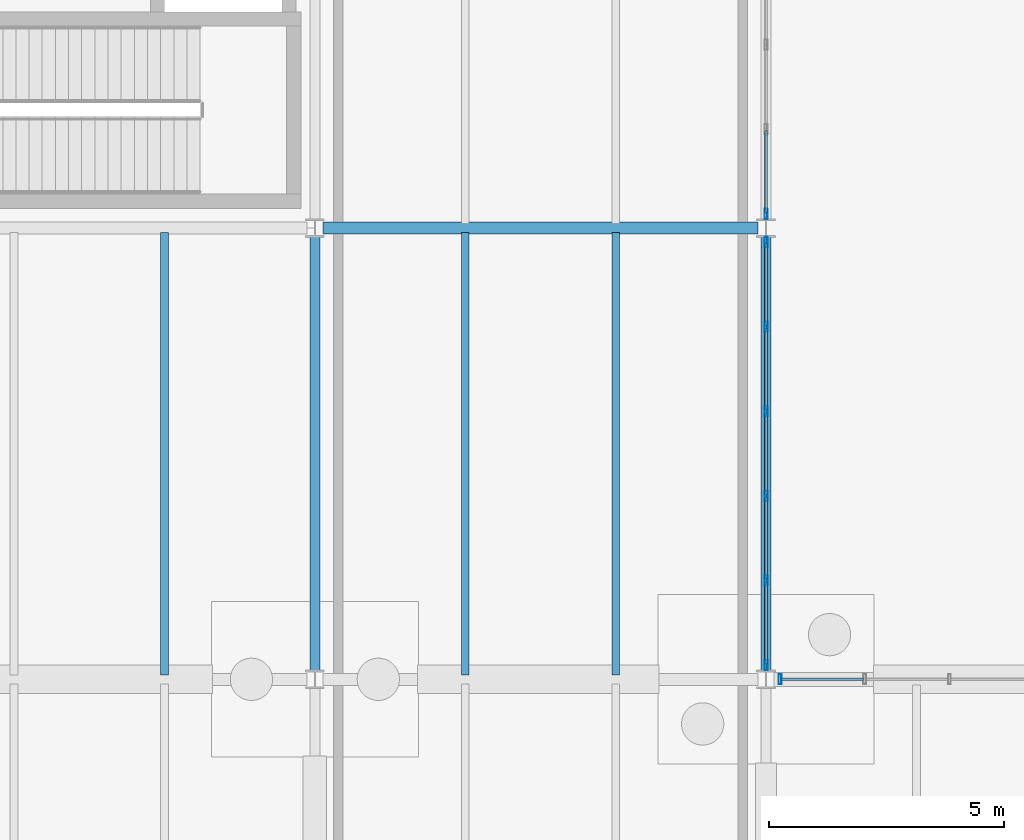
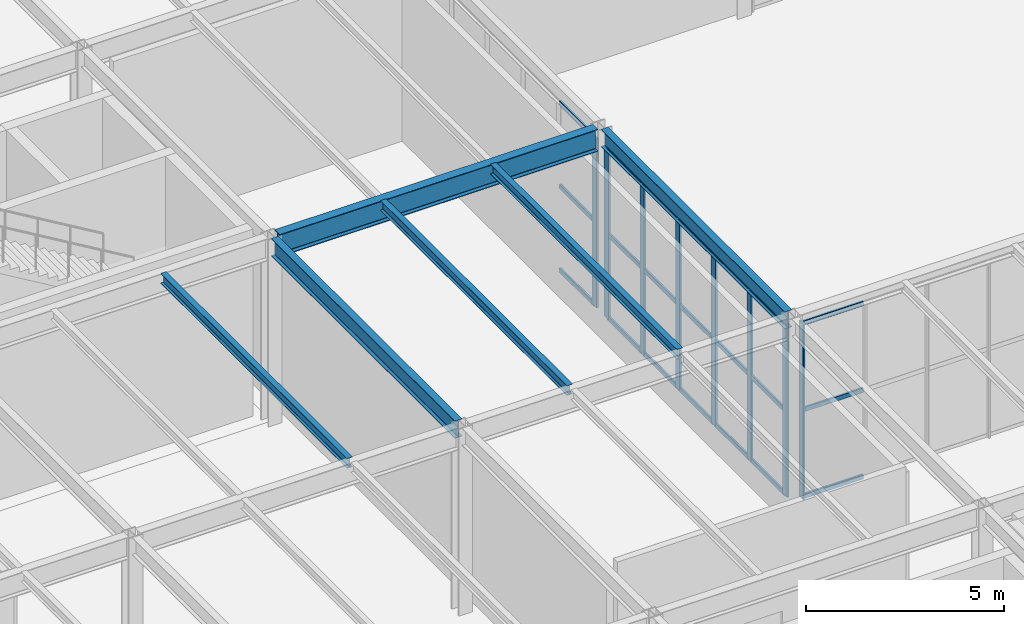
# One storey, part 39 of 142: 29 members, 6 beams, 3 elements without a shape of their own.
"""IFC4 building model written with IfcOpenShell, lengths in metres."""

from ifc_helpers import new_model, si_unit, direction, frame, origin, origin_2d, place, context, subcontext, project, spatial, hollow_rectangle, i_section, extrude, material, material_profile, profile_set, type_object, element, aggregate, save


model = new_model("IFC4")

# Units and contexts
model_context = context("Model", 3, precision=1e-05, world=origin(), true_north=direction((0.0, 1.0)))
body_context = subcontext(model_context, "Body", "Model", "MODEL_VIEW")
ifc_project = project(units=[si_unit("LENGTHUNIT", "METRE"), si_unit("AREAUNIT", "SQUARE_METRE"), si_unit("VOLUMEUNIT", "CUBIC_METRE"), si_unit("PLANEANGLEUNIT", "RADIAN"), si_unit("MASSUNIT", "GRAM", prefix="KILO")], contexts=[model_context])

# Site, building, storey
site_placement = place(None, origin())
site = spatial("IfcSite", under=ifc_project, at=site_placement, CompositionType="ELEMENT")
building_placement = place(site_placement, origin())
building = spatial("IfcBuilding", under=site, at=building_placement, Name="Coralgate Yard Interchange", CompositionType="ELEMENT")
storey_placement = place(building_placement, origin())
storey = spatial("IfcBuildingStorey", under=building, at=storey_placement, Name="L00", CompositionType="ELEMENT", Elevation=0.0)

# Beams
ifc_material_1 = material(Name="Structural steel S355J2", Category="steel")
ifc_material_profile_1 = material_profile(ifc_material_1, i_section(OverallWidth=0.209228515625, OverallDepth=0.533203125, WebThickness=0.010009765625, FlangeThickness=0.015625, FilletRadius=0.0126953125, at=origin_2d()), Name="UB 533x210x92")
ifc_profile_set_1 = profile_set([ifc_material_profile_1], Name="Structural steel S355J2")
beam_type_1 = type_object("IfcBeamType", Name="BM-SB-1", PredefinedType="BEAM", material=ifc_profile_set_1)
for number, where, z_axis, x_axis, name in (
    (1, (19.199951171875, 19.36669921875, 5.4833984375), (0.0, 1.0, 0.0), (-1.0, 0.0, 0.0), "L00 primary grid girder X2 Y2-3"),
    (2, (28.800048828125, 19.36669921875, 5.4833984375), (0.0, 1.0, 0.0), (-1.0, 0.0, 0.0), "L00 primary grid girder X3 Y2-3"),
):
    element("IfcBeam", number, at=place(storey_placement, frame(where, z_axis=z_axis, x_axis=x_axis)), inside=storey, type_object=beam_type_1, Name=name, PredefinedType="BEAM", context=body_context, shape_type="SweptSolid", body=[
        extrude(i_section(OverallWidth=0.209228515625, OverallDepth=0.533203125, WebThickness=0.010009765625, FlangeThickness=0.015625, FilletRadius=0.0126953125, at=origin_2d()), origin(), (0.0, 0.0, 1.0), 9.2666015625),
    ])
ifc_material_profile_2 = material_profile(ifc_material_1, i_section(OverallWidth=0.253662109375, OverallDepth=0.68359375, WebThickness=0.012451171875, FlangeThickness=0.01904296875, FilletRadius=0.01513671875, at=origin_2d()), Name="UB 686x254x140")
ifc_profile_set_2 = profile_set([ifc_material_profile_2], Name="Structural steel S355J2")
beam_type_2 = type_object("IfcBeamType", Name="BM-SG-4", PredefinedType="BEAM", material=ifc_profile_set_2)
beam_placement = place(storey_placement, frame((19.369384765625, 28.800048828125, 5.408203125), z_axis=(1.0, 0.0, 0.0), x_axis=(0.0, 1.0, 0.0)))
element("IfcBeam", 3, at=beam_placement, inside=storey, type_object=beam_type_2, Name="L00 primary grid beam Y3 X2-3", PredefinedType="BEAM", context=body_context, shape_type="SweptSolid", body=[
    extrude(i_section(OverallWidth=0.253662109375, OverallDepth=0.68359375, WebThickness=0.012451171875, FlangeThickness=0.01904296875, FilletRadius=0.01513671875, at=origin_2d()), origin(), (0.0, 0.0, 1.0), 9.26123046875),
])
ifc_material_profile_3 = material_profile(ifc_material_1, i_section(OverallWidth=0.1650390625, OverallDepth=0.303466796875, WebThickness=0.006103515625, FlangeThickness=0.01025390625, FilletRadius=0.0087890625, at=origin_2d()), Name="UB 305x165x40")
ifc_profile_set_3 = profile_set([ifc_material_profile_3], Name="Structural steel S355J2")
beam_type_3 = type_object("IfcBeamType", Name="BM-SJ-1", PredefinedType="JOIST", material=ifc_profile_set_3)
for number, where, z_axis, x_axis, name in (
    (4, (16.0, 19.296875, 5.598388671875), (0.0, 1.0, 0.0), (-1.0, 0.0, 0.0), "L00 composite floor joist 1-2-2"),
    (5, (22.39990234375, 19.296875, 5.598388671875), (0.0, 1.0, 0.0), (-1.0, 0.0, 0.0), "L00 composite floor joist 2-2-1"),
    (6, (25.60009765625, 19.296875, 5.598388671875), (0.0, 1.0, 0.0), (-1.0, 0.0, 0.0), "L00 composite floor joist 2-2-2"),
):
    element("IfcBeam", number, at=place(storey_placement, frame(where, z_axis=z_axis, x_axis=x_axis)), inside=storey, type_object=beam_type_3, Name=name, PredefinedType="JOIST", context=body_context, shape_type="SweptSolid", body=[
        extrude(i_section(OverallWidth=0.1650390625, OverallDepth=0.303466796875, WebThickness=0.006103515625, FlangeThickness=0.01025390625, FilletRadius=0.0087890625, at=origin_2d()), origin(), (0.0, 0.0, 1.0), 9.40625),
    ])

# Curtain wall, members
ifc_material_2 = material(Name="Anodised coastal aluminium and solar-control low-E glass", Category="aluminium")
curtain_wall_type_1 = type_object("IfcCurtainWallType", Name="CW-CW-L00-B", PredefinedType="NOTDEFINED", material=ifc_material_2)
curtain_wall_1_placement = place(storey_placement, origin())
curtain_wall_1 = element("IfcCurtainWall", 7, at=curtain_wall_1_placement, inside=storey, type_object=curtain_wall_type_1, Name="L00 unitised curtain wall CW-L00-E-02-02", PredefinedType="NOTDEFINED")
ifc_material_3 = material(Name="Anodised coastal aluminium 6063-T6", Category="aluminium")
ifc_material_profile_4 = material_profile(ifc_material_3, hollow_rectangle(XDim=0.06005859375, YDim=0.219970703125, WallThickness=0.00390625, InnerFilletRadius=0.00390625, OuterFilletRadius=0.008056640625, at=origin_2d()), Name="ALU 60x220x4")
ifc_profile_set_4 = profile_set([ifc_material_profile_4], Name="Anodised coastal aluminium 6063-T6")
member_type_1 = type_object("IfcMemberType", Name="MB-MUL-220", PredefinedType="MULLION", material=ifc_profile_set_4)
member_1_placement = place(storey_placement, frame((28.800048828125, 28.5, 0.0), z_axis=(0.0, 0.0, 1.0), x_axis=(1.0, 0.0, 0.0)))
member_1 = element("IfcMember", 8, at=member_1_placement, type_object=member_type_1, Name="CW-L00-E-02-02 vertical mullion 1", PredefinedType="MULLION", context=body_context, shape_type="SweptSolid", body=[
    extrude(hollow_rectangle(XDim=0.06005859375, YDim=0.219970703125, WallThickness=0.00390625, InnerFilletRadius=0.00390625, OuterFilletRadius=0.008056640625, at=origin_2d()), origin(), (0.0, 0.0, 1.0), 5.216796875),
])
member_2_placement = place(storey_placement, frame((28.800048828125, 26.699951171875, 0.0), z_axis=(0.0, 0.0, 1.0), x_axis=(1.0, 0.0, 0.0)))
member_2 = element("IfcMember", 9, at=member_2_placement, type_object=member_type_1, Name="CW-L00-E-02-02 vertical mullion 2", PredefinedType="MULLION", context=body_context, shape_type="SweptSolid", body=[
    extrude(hollow_rectangle(XDim=0.06005859375, YDim=0.219970703125, WallThickness=0.00390625, InnerFilletRadius=0.00390625, OuterFilletRadius=0.008056640625, at=origin_2d()), origin(), (0.0, 0.0, 1.0), 5.216796875),
])
member_3_placement = place(storey_placement, frame((28.800048828125, 24.89990234375, 0.0), z_axis=(0.0, 0.0, 1.0), x_axis=(1.0, 0.0, 0.0)))
member_3 = element("IfcMember", 10, at=member_3_placement, type_object=member_type_1, Name="CW-L00-E-02-02 vertical mullion 3", PredefinedType="MULLION", context=body_context, shape_type="SweptSolid", body=[
    extrude(hollow_rectangle(XDim=0.06005859375, YDim=0.219970703125, WallThickness=0.00390625, InnerFilletRadius=0.00390625, OuterFilletRadius=0.008056640625, at=origin_2d()), origin(), (0.0, 0.0, 1.0), 5.216796875),
])
member_4_placement = place(storey_placement, frame((28.800048828125, 23.10009765625, 0.0), z_axis=(0.0, 0.0, 1.0), x_axis=(1.0, 0.0, 0.0)))
member_4 = element("IfcMember", 11, at=member_4_placement, type_object=member_type_1, Name="CW-L00-E-02-02 vertical mullion 4", PredefinedType="MULLION", context=body_context, shape_type="SweptSolid", body=[
    extrude(hollow_rectangle(XDim=0.06005859375, YDim=0.219970703125, WallThickness=0.00390625, InnerFilletRadius=0.00390625, OuterFilletRadius=0.008056640625, at=origin_2d()), origin(), (0.0, 0.0, 1.0), 5.216796875),
])
member_5_placement = place(storey_placement, frame((28.800048828125, 21.300048828125, 0.0), z_axis=(0.0, 0.0, 1.0), x_axis=(1.0, 0.0, 0.0)))
member_5 = element("IfcMember", 12, at=member_5_placement, type_object=member_type_1, Name="CW-L00-E-02-02 vertical mullion 5", PredefinedType="MULLION", context=body_context, shape_type="SweptSolid", body=[
    extrude(hollow_rectangle(XDim=0.06005859375, YDim=0.219970703125, WallThickness=0.00390625, InnerFilletRadius=0.00390625, OuterFilletRadius=0.008056640625, at=origin_2d()), origin(), (0.0, 0.0, 1.0), 5.216796875),
])
member_6_placement = place(storey_placement, frame((28.800048828125, 19.5, 0.0), z_axis=(0.0, 0.0, 1.0), x_axis=(1.0, 0.0, 0.0)))
member_6 = element("IfcMember", 13, at=member_6_placement, type_object=member_type_1, Name="CW-L00-E-02-02 vertical mullion 6", PredefinedType="MULLION", context=body_context, shape_type="SweptSolid", body=[
    extrude(hollow_rectangle(XDim=0.06005859375, YDim=0.219970703125, WallThickness=0.00390625, InnerFilletRadius=0.00390625, OuterFilletRadius=0.008056640625, at=origin_2d()), origin(), (0.0, 0.0, 1.0), 5.216796875),
])

# Curtain wall, member
curtain_wall_type_2 = type_object("IfcCurtainWallType", Name="CW-CW-L00-A", PredefinedType="NOTDEFINED", material=ifc_material_2)
curtain_wall_2_placement = place(storey_placement, origin())
curtain_wall_2 = element("IfcCurtainWall", 14, at=curtain_wall_2_placement, inside=storey, type_object=curtain_wall_type_2, Name="L00 unitised curtain wall CW-L00-E-02-03", PredefinedType="NOTDEFINED")
member_7_placement = place(storey_placement, frame((28.800048828125, 29.10009765625, 0.0), z_axis=(0.0, 0.0, 1.0), x_axis=(1.0, 0.0, 0.0)))
member_7 = element("IfcMember", 15, at=member_7_placement, type_object=member_type_1, Name="CW-L00-E-02-03 vertical mullion 6", PredefinedType="MULLION", context=body_context, shape_type="SweptSolid", body=[
    extrude(hollow_rectangle(XDim=0.06005859375, YDim=0.219970703125, WallThickness=0.00390625, InnerFilletRadius=0.00390625, OuterFilletRadius=0.008056640625, at=origin_2d()), origin(), (0.0, 0.0, 1.0), 5.216796875),
])

curtain_wall_3_placement = place(storey_placement, origin())
curtain_wall_3 = element("IfcCurtainWall", 16, at=curtain_wall_3_placement, inside=storey, type_object=curtain_wall_type_1, Name="L00 unitised curtain wall CW-L00-N-03-01", PredefinedType="NOTDEFINED")
member_8_placement = place(storey_placement, frame((29.10009765625, 19.199951171875, 0.0), z_axis=(0.0, 0.0, 1.0), x_axis=(1.0, 0.0, 0.0)))
member_8 = element("IfcMember", 17, at=member_8_placement, type_object=member_type_1, Name="CW-L00-N-03-01 vertical mullion 1", PredefinedType="MULLION", context=body_context, shape_type="SweptSolid", body=[
    extrude(hollow_rectangle(XDim=0.06005859375, YDim=0.219970703125, WallThickness=0.00390625, InnerFilletRadius=0.00390625, OuterFilletRadius=0.008056640625, at=origin_2d()), origin(), (0.0, 0.0, 1.0), 5.39990234375),
])

# Member
ifc_material_profile_5 = material_profile(ifc_material_3, hollow_rectangle(XDim=0.06005859375, YDim=0.139892578125, WallThickness=0.00341796875, InnerFilletRadius=0.00341796875, OuterFilletRadius=0.007080078125, at=origin_2d()), Name="ALU 60x140x3.5")
ifc_profile_set_5 = profile_set([ifc_material_profile_5], Name="Anodised coastal aluminium 6063-T6")
member_type_2 = type_object("IfcMemberType", Name="MB-TRN-140", PredefinedType="USERDEFINED", material=ifc_profile_set_5)
member_9_placement = place(storey_placement, frame((28.800048828125, 28.469970703125, 0.034912109375), z_axis=(0.0, -1.0, 0.0), x_axis=(1.0, 0.0, 0.0)))
member_9 = element("IfcMember", 18, at=member_9_placement, type_object=member_type_2, Name="CW-L00-E-02-02 horizontal transom 1-1", ObjectType="TRANSOM", PredefinedType="USERDEFINED", context=body_context, shape_type="SweptSolid", body=[
    extrude(hollow_rectangle(XDim=0.06005859375, YDim=0.139892578125, WallThickness=0.00341796875, InnerFilletRadius=0.00341796875, OuterFilletRadius=0.007080078125, at=origin_2d()), origin(), (0.0, 0.0, 1.0), 1.739990234375),
])

member_10_placement = place(storey_placement, frame((28.800048828125, 28.469970703125, 2.6083984375), z_axis=(0.0, -1.0, 0.0), x_axis=(1.0, 0.0, 0.0)))
member_10 = element("IfcMember", 19, at=member_10_placement, type_object=member_type_2, Name="CW-L00-E-02-02 horizontal transom 1-2", ObjectType="TRANSOM", PredefinedType="USERDEFINED", context=body_context, shape_type="SweptSolid", body=[
    extrude(hollow_rectangle(XDim=0.06005859375, YDim=0.139892578125, WallThickness=0.00341796875, InnerFilletRadius=0.00341796875, OuterFilletRadius=0.007080078125, at=origin_2d()), origin(), (0.0, 0.0, 1.0), 1.739990234375),
])

member_11_placement = place(storey_placement, frame((28.800048828125, 28.469970703125, 5.181884765625), z_axis=(0.0, -1.0, 0.0), x_axis=(1.0, 0.0, 0.0)))
member_11 = element("IfcMember", 20, at=member_11_placement, type_object=member_type_2, Name="CW-L00-E-02-02 horizontal transom 1-3", ObjectType="TRANSOM", PredefinedType="USERDEFINED", context=body_context, shape_type="SweptSolid", body=[
    extrude(hollow_rectangle(XDim=0.06005859375, YDim=0.139892578125, WallThickness=0.00341796875, InnerFilletRadius=0.00341796875, OuterFilletRadius=0.007080078125, at=origin_2d()), origin(), (0.0, 0.0, 1.0), 1.739990234375),
])

member_12_placement = place(storey_placement, frame((28.800048828125, 26.669921875, 0.034912109375), z_axis=(0.0, -1.0, 0.0), x_axis=(1.0, 0.0, 0.0)))
member_12 = element("IfcMember", 21, at=member_12_placement, type_object=member_type_2, Name="CW-L00-E-02-02 horizontal transom 2-1", ObjectType="TRANSOM", PredefinedType="USERDEFINED", context=body_context, shape_type="SweptSolid", body=[
    extrude(hollow_rectangle(XDim=0.06005859375, YDim=0.139892578125, WallThickness=0.00341796875, InnerFilletRadius=0.00341796875, OuterFilletRadius=0.007080078125, at=origin_2d()), origin(), (0.0, 0.0, 1.0), 1.739990234375),
])

member_13_placement = place(storey_placement, frame((28.800048828125, 26.669921875, 2.6083984375), z_axis=(0.0, -1.0, 0.0), x_axis=(1.0, 0.0, 0.0)))
member_13 = element("IfcMember", 22, at=member_13_placement, type_object=member_type_2, Name="CW-L00-E-02-02 horizontal transom 2-2", ObjectType="TRANSOM", PredefinedType="USERDEFINED", context=body_context, shape_type="SweptSolid", body=[
    extrude(hollow_rectangle(XDim=0.06005859375, YDim=0.139892578125, WallThickness=0.00341796875, InnerFilletRadius=0.00341796875, OuterFilletRadius=0.007080078125, at=origin_2d()), origin(), (0.0, 0.0, 1.0), 1.739990234375),
])

member_14_placement = place(storey_placement, frame((28.800048828125, 26.669921875, 5.181884765625), z_axis=(0.0, -1.0, 0.0), x_axis=(1.0, 0.0, 0.0)))
member_14 = element("IfcMember", 23, at=member_14_placement, type_object=member_type_2, Name="CW-L00-E-02-02 horizontal transom 2-3", ObjectType="TRANSOM", PredefinedType="USERDEFINED", context=body_context, shape_type="SweptSolid", body=[
    extrude(hollow_rectangle(XDim=0.06005859375, YDim=0.139892578125, WallThickness=0.00341796875, InnerFilletRadius=0.00341796875, OuterFilletRadius=0.007080078125, at=origin_2d()), origin(), (0.0, 0.0, 1.0), 1.739990234375),
])

member_15_placement = place(storey_placement, frame((28.800048828125, 24.8701171875, 0.034912109375), z_axis=(0.0, -1.0, 0.0), x_axis=(1.0, 0.0, 0.0)))
member_15 = element("IfcMember", 24, at=member_15_placement, type_object=member_type_2, Name="CW-L00-E-02-02 horizontal transom 3-1", ObjectType="TRANSOM", PredefinedType="USERDEFINED", context=body_context, shape_type="SweptSolid", body=[
    extrude(hollow_rectangle(XDim=0.06005859375, YDim=0.139892578125, WallThickness=0.00341796875, InnerFilletRadius=0.00341796875, OuterFilletRadius=0.007080078125, at=origin_2d()), origin(), (0.0, 0.0, 1.0), 1.740234375),
])

member_16_placement = place(storey_placement, frame((28.800048828125, 24.8701171875, 2.6083984375), z_axis=(0.0, -1.0, 0.0), x_axis=(1.0, 0.0, 0.0)))
member_16 = element("IfcMember", 25, at=member_16_placement, type_object=member_type_2, Name="CW-L00-E-02-02 horizontal transom 3-2", ObjectType="TRANSOM", PredefinedType="USERDEFINED", context=body_context, shape_type="SweptSolid", body=[
    extrude(hollow_rectangle(XDim=0.06005859375, YDim=0.139892578125, WallThickness=0.00341796875, InnerFilletRadius=0.00341796875, OuterFilletRadius=0.007080078125, at=origin_2d()), origin(), (0.0, 0.0, 1.0), 1.740234375),
])

member_17_placement = place(storey_placement, frame((28.800048828125, 24.8701171875, 5.181884765625), z_axis=(0.0, -1.0, 0.0), x_axis=(1.0, 0.0, 0.0)))
member_17 = element("IfcMember", 26, at=member_17_placement, type_object=member_type_2, Name="CW-L00-E-02-02 horizontal transom 3-3", ObjectType="TRANSOM", PredefinedType="USERDEFINED", context=body_context, shape_type="SweptSolid", body=[
    extrude(hollow_rectangle(XDim=0.06005859375, YDim=0.139892578125, WallThickness=0.00341796875, InnerFilletRadius=0.00341796875, OuterFilletRadius=0.007080078125, at=origin_2d()), origin(), (0.0, 0.0, 1.0), 1.740234375),
])

member_18_placement = place(storey_placement, frame((28.800048828125, 23.070068359375, 0.034912109375), z_axis=(0.0, -1.0, 0.0), x_axis=(1.0, 0.0, 0.0)))
member_18 = element("IfcMember", 27, at=member_18_placement, type_object=member_type_2, Name="CW-L00-E-02-02 horizontal transom 4-1", ObjectType="TRANSOM", PredefinedType="USERDEFINED", context=body_context, shape_type="SweptSolid", body=[
    extrude(hollow_rectangle(XDim=0.06005859375, YDim=0.139892578125, WallThickness=0.00341796875, InnerFilletRadius=0.00341796875, OuterFilletRadius=0.007080078125, at=origin_2d()), origin(), (0.0, 0.0, 1.0), 1.739990234375),
])

member_19_placement = place(storey_placement, frame((28.800048828125, 23.070068359375, 2.6083984375), z_axis=(0.0, -1.0, 0.0), x_axis=(1.0, 0.0, 0.0)))
member_19 = element("IfcMember", 28, at=member_19_placement, type_object=member_type_2, Name="CW-L00-E-02-02 horizontal transom 4-2", ObjectType="TRANSOM", PredefinedType="USERDEFINED", context=body_context, shape_type="SweptSolid", body=[
    extrude(hollow_rectangle(XDim=0.06005859375, YDim=0.139892578125, WallThickness=0.00341796875, InnerFilletRadius=0.00341796875, OuterFilletRadius=0.007080078125, at=origin_2d()), origin(), (0.0, 0.0, 1.0), 1.739990234375),
])

member_20_placement = place(storey_placement, frame((28.800048828125, 23.070068359375, 5.181884765625), z_axis=(0.0, -1.0, 0.0), x_axis=(1.0, 0.0, 0.0)))
member_20 = element("IfcMember", 29, at=member_20_placement, type_object=member_type_2, Name="CW-L00-E-02-02 horizontal transom 4-3", ObjectType="TRANSOM", PredefinedType="USERDEFINED", context=body_context, shape_type="SweptSolid", body=[
    extrude(hollow_rectangle(XDim=0.06005859375, YDim=0.139892578125, WallThickness=0.00341796875, InnerFilletRadius=0.00341796875, OuterFilletRadius=0.007080078125, at=origin_2d()), origin(), (0.0, 0.0, 1.0), 1.739990234375),
])

member_21_placement = place(storey_placement, frame((28.800048828125, 21.27001953125, 0.034912109375), z_axis=(0.0, -1.0, 0.0), x_axis=(1.0, 0.0, 0.0)))
member_21 = element("IfcMember", 30, at=member_21_placement, type_object=member_type_2, Name="CW-L00-E-02-02 horizontal transom 5-1", ObjectType="TRANSOM", PredefinedType="USERDEFINED", context=body_context, shape_type="SweptSolid", body=[
    extrude(hollow_rectangle(XDim=0.06005859375, YDim=0.139892578125, WallThickness=0.00341796875, InnerFilletRadius=0.00341796875, OuterFilletRadius=0.007080078125, at=origin_2d()), origin(), (0.0, 0.0, 1.0), 1.739990234375),
])

member_22_placement = place(storey_placement, frame((28.800048828125, 21.27001953125, 2.6083984375), z_axis=(0.0, -1.0, 0.0), x_axis=(1.0, 0.0, 0.0)))
member_22 = element("IfcMember", 31, at=member_22_placement, type_object=member_type_2, Name="CW-L00-E-02-02 horizontal transom 5-2", ObjectType="TRANSOM", PredefinedType="USERDEFINED", context=body_context, shape_type="SweptSolid", body=[
    extrude(hollow_rectangle(XDim=0.06005859375, YDim=0.139892578125, WallThickness=0.00341796875, InnerFilletRadius=0.00341796875, OuterFilletRadius=0.007080078125, at=origin_2d()), origin(), (0.0, 0.0, 1.0), 1.739990234375),
])

member_23_placement = place(storey_placement, frame((28.800048828125, 21.27001953125, 5.181884765625), z_axis=(0.0, -1.0, 0.0), x_axis=(1.0, 0.0, 0.0)))
member_23 = element("IfcMember", 32, at=member_23_placement, type_object=member_type_2, Name="CW-L00-E-02-02 horizontal transom 5-3", ObjectType="TRANSOM", PredefinedType="USERDEFINED", context=body_context, shape_type="SweptSolid", body=[
    extrude(hollow_rectangle(XDim=0.06005859375, YDim=0.139892578125, WallThickness=0.00341796875, InnerFilletRadius=0.00341796875, OuterFilletRadius=0.007080078125, at=origin_2d()), origin(), (0.0, 0.0, 1.0), 1.739990234375),
])

aggregate(curtain_wall_1, [member_1, member_2, member_3, member_4, member_5, member_6, member_9, member_10, member_11, member_12, member_13, member_14, member_15, member_16, member_17, member_18, member_19, member_20, member_21, member_22, member_23])

member_24_placement = place(storey_placement, frame((28.800048828125, 30.8701171875, 0.034912109375), z_axis=(0.0, -1.0, 0.0), x_axis=(1.0, 0.0, 0.0)))
member_24 = element("IfcMember", 33, at=member_24_placement, type_object=member_type_2, Name="CW-L00-E-02-03 horizontal transom 5-1", ObjectType="TRANSOM", PredefinedType="USERDEFINED", context=body_context, shape_type="SweptSolid", body=[
    extrude(hollow_rectangle(XDim=0.06005859375, YDim=0.139892578125, WallThickness=0.00341796875, InnerFilletRadius=0.00341796875, OuterFilletRadius=0.007080078125, at=origin_2d()), origin(), (0.0, 0.0, 1.0), 1.740234375),
])

member_25_placement = place(storey_placement, frame((28.800048828125, 30.8701171875, 2.6083984375), z_axis=(0.0, -1.0, 0.0), x_axis=(1.0, 0.0, 0.0)))
member_25 = element("IfcMember", 34, at=member_25_placement, type_object=member_type_2, Name="CW-L00-E-02-03 horizontal transom 5-2", ObjectType="TRANSOM", PredefinedType="USERDEFINED", context=body_context, shape_type="SweptSolid", body=[
    extrude(hollow_rectangle(XDim=0.06005859375, YDim=0.139892578125, WallThickness=0.00341796875, InnerFilletRadius=0.00341796875, OuterFilletRadius=0.007080078125, at=origin_2d()), origin(), (0.0, 0.0, 1.0), 1.740234375),
])

member_26_placement = place(storey_placement, frame((28.800048828125, 30.8701171875, 5.181884765625), z_axis=(0.0, -1.0, 0.0), x_axis=(1.0, 0.0, 0.0)))
member_26 = element("IfcMember", 35, at=member_26_placement, type_object=member_type_2, Name="CW-L00-E-02-03 horizontal transom 5-3", ObjectType="TRANSOM", PredefinedType="USERDEFINED", context=body_context, shape_type="SweptSolid", body=[
    extrude(hollow_rectangle(XDim=0.06005859375, YDim=0.139892578125, WallThickness=0.00341796875, InnerFilletRadius=0.00341796875, OuterFilletRadius=0.007080078125, at=origin_2d()), origin(), (0.0, 0.0, 1.0), 1.740234375),
])

aggregate(curtain_wall_2, [member_7, member_24, member_25, member_26])

member_27_placement = place(storey_placement, frame((29.1298828125, 19.199951171875, 0.034912109375), z_axis=(1.0, 0.0, 0.0), x_axis=(0.0, 1.0, 0.0)))
member_27 = element("IfcMember", 36, at=member_27_placement, type_object=member_type_2, Name="CW-L00-N-03-01 horizontal transom 1-1", ObjectType="TRANSOM", PredefinedType="USERDEFINED", context=body_context, shape_type="SweptSolid", body=[
    extrude(hollow_rectangle(XDim=0.06005859375, YDim=0.139892578125, WallThickness=0.00341796875, InnerFilletRadius=0.00341796875, OuterFilletRadius=0.007080078125, at=origin_2d()), origin(), (0.0, 0.0, 1.0), 1.740234375),
])

member_28_placement = place(storey_placement, frame((29.1298828125, 19.199951171875, 2.699951171875), z_axis=(1.0, 0.0, 0.0), x_axis=(0.0, 1.0, 0.0)))
member_28 = element("IfcMember", 37, at=member_28_placement, type_object=member_type_2, Name="CW-L00-N-03-01 horizontal transom 1-2", ObjectType="TRANSOM", PredefinedType="USERDEFINED", context=body_context, shape_type="SweptSolid", body=[
    extrude(hollow_rectangle(XDim=0.06005859375, YDim=0.139892578125, WallThickness=0.00341796875, InnerFilletRadius=0.00341796875, OuterFilletRadius=0.007080078125, at=origin_2d()), origin(), (0.0, 0.0, 1.0), 1.740234375),
])

member_29_placement = place(storey_placement, frame((29.1298828125, 19.199951171875, 5.364990234375), z_axis=(1.0, 0.0, 0.0), x_axis=(0.0, 1.0, 0.0)))
member_29 = element("IfcMember", 38, at=member_29_placement, type_object=member_type_2, Name="CW-L00-N-03-01 horizontal transom 1-3", ObjectType="TRANSOM", PredefinedType="USERDEFINED", context=body_context, shape_type="SweptSolid", body=[
    extrude(hollow_rectangle(XDim=0.06005859375, YDim=0.139892578125, WallThickness=0.00341796875, InnerFilletRadius=0.00341796875, OuterFilletRadius=0.007080078125, at=origin_2d()), origin(), (0.0, 0.0, 1.0), 1.740234375),
])

aggregate(curtain_wall_3, [member_8, member_27, member_28, member_29])

save(model, "model.ifc")
